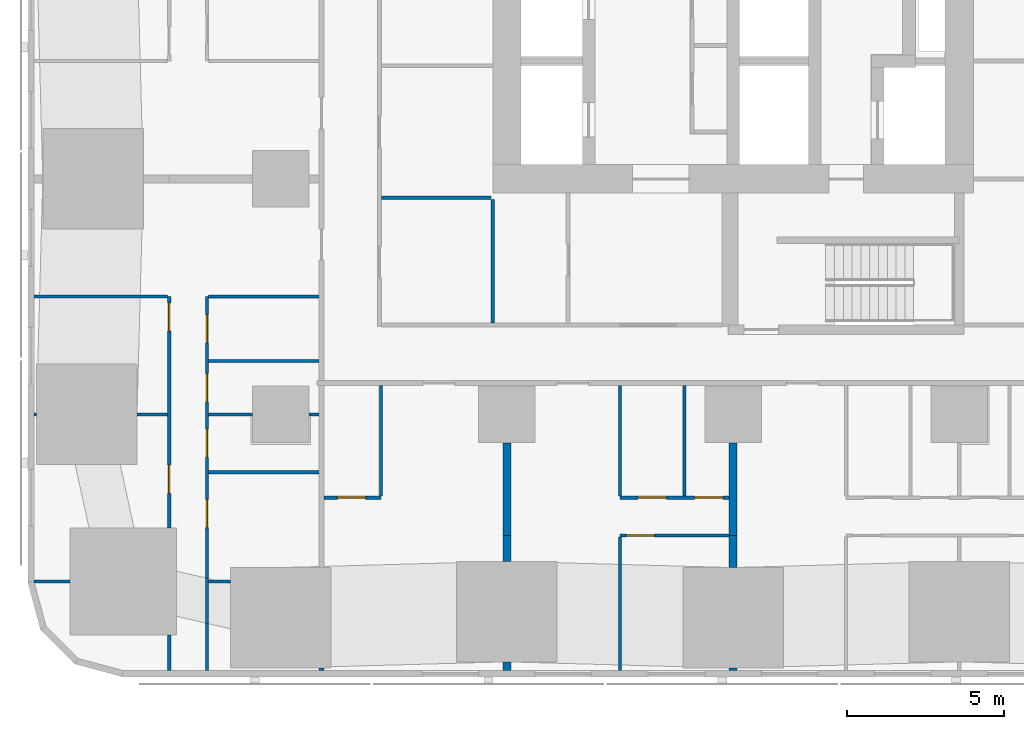
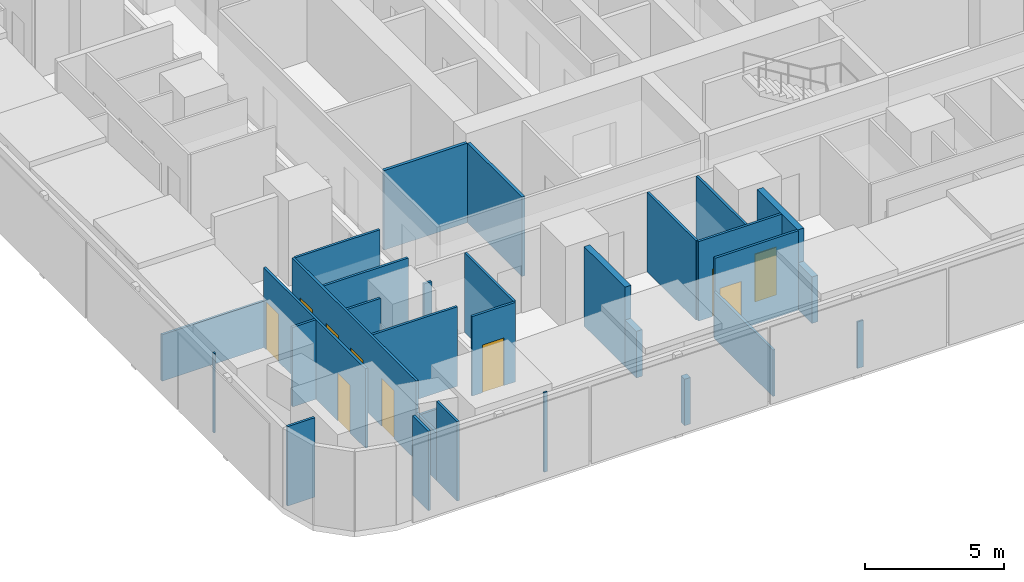
# One storey, part 2 of 17: 31 walls, 10 doors, 10 openings.
"""IFC4 building model written with IfcOpenShell, lengths in metres."""

from ifc_helpers import new_model, si_unit, direction, frame, frame_2d, origin, place, context, subcontext, project, spatial, rectangle, extrude, material, layer, layer_set, type_object, element, fill, save


model = new_model("IFC4")

# Units and contexts
model_context = context("Model", 3, precision=1e-05, world=origin(), true_north=direction((0.0, 1.0)))
body_context = subcontext(model_context, "Body", "Model", "MODEL_VIEW")
ifc_project = project(units=[si_unit("LENGTHUNIT", "METRE"), si_unit("AREAUNIT", "SQUARE_METRE"), si_unit("VOLUMEUNIT", "CUBIC_METRE"), si_unit("PLANEANGLEUNIT", "RADIAN"), si_unit("MASSUNIT", "GRAM", prefix="KILO")], contexts=[model_context])

# Site, building, storey
site_placement = place(None, origin())
site = spatial("IfcSite", under=ifc_project, at=site_placement, CompositionType="ELEMENT")
building_placement = place(site_placement, origin())
building = spatial("IfcBuilding", under=site, at=building_placement, Name="Sheger Commons Tower", CompositionType="ELEMENT")
storey_placement = place(building_placement, frame((0.0, 0.0, 27.5)))
storey = spatial("IfcBuildingStorey", under=building, at=storey_placement, Name="L06", CompositionType="ELEMENT", Elevation=27.5)

# Walls
ifc_material_1 = material(Name="Hollow concrete block masonry, skimmed both sides", Category="masonry")
ifc_layer_1 = layer(ifc_material_1, 0.14990234375)
ifc_layer_set_1 = layer_set([ifc_layer_1], Name="CORRIDOR WALL 150")
wall_type_1 = type_object("IfcWallType", Name="CORRIDOR WALL 150", PredefinedType="SOLIDWALL", material=ifc_layer_set_1)
wall_1_placement = place(storey_placement, frame((8.5, -0.64990234375, 0.0), z_axis=(0.0, 0.0, 1.0), x_axis=(0.0, 1.0, 0.0)))
element("IfcWall", 1, at=wall_1_placement, inside=storey, type_object=wall_type_1, Name="Corridor wall L06", PredefinedType="SOLIDWALL", context=body_context, shape_type="SweptSolid", body=[
    extrude(rectangle(XDim=0.073974609375, YDim=0.14990234375, at=frame_2d((0.037109375, 0.0))), origin(), (0.0, 0.0, 1.0), 3.5),
])
ifc_material_2 = material(Name="Dense concrete block masonry, plastered both sides (separating wall between flats)", Category="masonry")
ifc_layer_2 = layer(ifc_material_2, 0.25)
ifc_layer_set_2 = layer_set([ifc_layer_2], Name="DEMISING WALL 250")
wall_type_2 = type_object("IfcWallType", Name="DEMISING WALL 250", PredefinedType="SOLIDWALL", material=ifc_layer_set_2)
wall_2_placement = place(storey_placement, frame((14.39990234375, -0.64990234375, 0.0), z_axis=(0.0, 0.0, 1.0), x_axis=(0.0, 1.0, 0.0)))
element("IfcWall", 2, at=wall_2_placement, inside=storey, type_object=wall_type_2, Name="Demising wall L06", PredefinedType="SOLIDWALL", context=body_context, shape_type="SweptSolid", body=[
    extrude(rectangle(XDim=0.27392578125, YDim=0.25, at=frame_2d((0.136962890625, 0.0))), origin(), (0.0, 0.0, 1.0), 2.050048828125),
])
wall_3_placement = place(storey_placement, frame((14.39990234375, 2.825927734375, 0.0), z_axis=(0.0, 0.0, 1.0), x_axis=(0.0, 1.0, 0.0)))
element("IfcWall", 3, at=wall_3_placement, inside=storey, type_object=wall_type_2, Name="Demising wall L06", PredefinedType="SOLIDWALL", context=body_context, shape_type="SweptSolid", body=[
    extrude(rectangle(XDim=0.823974609375, YDim=0.25, at=frame_2d((0.412109375, 0.0))), origin(), (0.0, 0.0, 1.0), 2.050048828125),
])
wall_4_placement = place(storey_placement, frame((14.39990234375, 3.64990234375, 0.0), z_axis=(0.0, 0.0, 1.0), x_axis=(0.0, 1.0, 0.0)))
element("IfcWall", 4, at=wall_4_placement, inside=storey, type_object=wall_type_2, Name="Demising wall L06", PredefinedType="SOLIDWALL", context=body_context, shape_type="SweptSolid", body=[
    extrude(rectangle(XDim=2.94921875, YDim=0.25, at=frame_2d((1.474609375, 0.0))), origin(), (0.0, 0.0, 1.0), 3.5),
])
wall_5_placement = place(storey_placement, frame((21.60009765625, -0.64990234375, 0.0), z_axis=(0.0, 0.0, 1.0), x_axis=(0.0, 1.0, 0.0)))
element("IfcWall", 5, at=wall_5_placement, inside=storey, type_object=wall_type_2, Name="Demising wall L06", PredefinedType="SOLIDWALL", context=body_context, shape_type="SweptSolid", body=[
    extrude(rectangle(XDim=0.073974609375, YDim=0.25, at=frame_2d((0.037109375, 0.0))), origin(), (0.0, 0.0, 1.0), 2.050048828125),
])
wall_6_placement = place(storey_placement, frame((21.60009765625, 2.6259765625, 0.0), z_axis=(0.0, 0.0, 1.0), x_axis=(0.0, 1.0, 0.0)))
element("IfcWall", 6, at=wall_6_placement, inside=storey, type_object=wall_type_2, Name="Demising wall L06", PredefinedType="SOLIDWALL", context=body_context, shape_type="SweptSolid", body=[
    extrude(rectangle(XDim=1.02392578125, YDim=0.25, at=frame_2d((0.511962890625, 0.0))), origin(), (0.0, 0.0, 1.0), 2.050048828125),
])
wall_7_placement = place(storey_placement, frame((21.60009765625, 3.64990234375, 0.0), z_axis=(0.0, 0.0, 1.0), x_axis=(0.0, 1.0, 0.0)))
element("IfcWall", 7, at=wall_7_placement, inside=storey, type_object=wall_type_2, Name="Demising wall L06", PredefinedType="SOLIDWALL", context=body_context, shape_type="SweptSolid", body=[
    extrude(rectangle(XDim=2.94921875, YDim=0.25, at=frame_2d((1.474609375, 0.0))), origin(), (0.0, 0.0, 1.0), 3.5),
])
ifc_material_3 = material(Name="Gypsum board on steel studs", Category="steel")
ifc_layer_3 = layer(ifc_material_3, 0.10009765625)
ifc_layer_set_3 = layer_set([ifc_layer_3], Name="PARTITION 100")
wall_type_3 = type_object("IfcWallType", Name="PARTITION 100", PredefinedType="PARTITIONING", material=ifc_layer_set_3)
wall_8_placement = place(storey_placement, frame((3.64990234375, -0.64990234375, 0.0), z_axis=(0.0, 0.0, 1.0), x_axis=(0.0, 1.0, 0.0)))
element("IfcWall", 8, at=wall_8_placement, inside=storey, type_object=wall_type_3, Name="Partition L06", PredefinedType="PARTITIONING", context=body_context, shape_type="SweptSolid", body=[
    extrude(rectangle(XDim=1.135009765625, YDim=0.10009765625, at=frame_2d((0.5673828125, 0.0))), origin(), (0.0, 0.0, 1.0), 3.5),
])

# Wall, openings, doors
wall_9_placement = place(storey_placement, frame((3.64990234375, 3.886962890625, 0.0), z_axis=(0.0, 0.0, 1.0), x_axis=(0.0, 1.0, 0.0)))
wall_9 = element("IfcWall", 9, at=wall_9_placement, inside=storey, type_object=wall_type_3, Name="Partition L06", PredefinedType="PARTITIONING", context=body_context, shape_type="SweptSolid", body=[
    extrude(rectangle(XDim=7.363037109375, YDim=0.10009765625, at=frame_2d((3.681640625, 0.0))), origin(), (0.0, 0.0, 1.0), 3.5),
])
opening_1_placement = place(wall_9_placement, frame((6.262939453125, 0.0, 0.0)))
opening_1 = element("IfcOpeningElement", 10, at=opening_1_placement, cuts=wall_9, Name="Opening D2", PredefinedType="OPENING", context=body_context, shape_type="SweptSolid", body=[
    extrude(rectangle(XDim=0.89990234375, YDim=2.10009765625, at=frame_2d((0.449951171875, 1.050048828125))), frame((0.0, 0.06005859375, 0.0), z_axis=(0.0, -1.0, 0.0), x_axis=(1.0, 0.0, 0.0)), (0.0, 0.0, 1.0), 0.1201171875),
])
opening_2_placement = place(wall_9_placement, frame((1.10009765625, 0.0, 0.0)))
opening_2 = element("IfcOpeningElement", 11, at=opening_2_placement, cuts=wall_9, Name="Opening D2", PredefinedType="OPENING", context=body_context, shape_type="SweptSolid", body=[
    extrude(rectangle(XDim=0.89990234375, YDim=2.10009765625, at=frame_2d((0.449951171875, 1.050048828125))), frame((0.0, 0.06005859375, 0.0), z_axis=(0.0, -1.0, 0.0), x_axis=(1.0, 0.0, 0.0)), (0.0, 0.0, 1.0), 0.1201171875),
])
ifc_material_4 = material(Name="Timber door set", Category="wood")
door_type = type_object("IfcDoorType", Name="INTERNAL DOOR 900x2100", OperationType="NOTDEFINED", PredefinedType="DOOR", material=ifc_material_4)
door_1_placement = place(opening_1_placement, origin())
door_1 = element("IfcDoor", 12, at=door_1_placement, inside=storey, type_object=door_type, Name="Main bedroom door", OperationType="SINGLE_SWING_RIGHT", OverallHeight=2.10009765625, OverallWidth=0.89990234375, PredefinedType="DOOR", context=body_context, shape_type="SweptSolid", body=[
    extrude(rectangle(XDim=0.89990234375, YDim=2.10009765625, at=frame_2d((0.449951171875, 1.050048828125))), frame((0.0, 0.02490234375, 0.0), z_axis=(0.0, -1.0, 0.0), x_axis=(1.0, 0.0, 0.0)), (0.0, 0.0, 1.0), 0.050048828125),
])
fill(opening_1, door_1)
door_2_placement = place(opening_2_placement, origin())
door_2 = element("IfcDoor", 13, at=door_2_placement, inside=storey, type_object=door_type, Name="Bedroom 2 door", OperationType="SINGLE_SWING_LEFT", OverallHeight=2.10009765625, OverallWidth=0.89990234375, PredefinedType="DOOR", context=body_context, shape_type="SweptSolid", body=[
    extrude(rectangle(XDim=0.89990234375, YDim=2.10009765625, at=frame_2d((0.449951171875, 1.050048828125))), frame((0.0, 0.02490234375, 0.0), z_axis=(0.0, -1.0, 0.0), x_axis=(1.0, 0.0, 0.0)), (0.0, 0.0, 1.0), 0.050048828125),
])
fill(opening_2, door_2)

# Walls
wall_10_placement = place(storey_placement, frame((4.85009765625, -0.64990234375, 0.0), z_axis=(0.0, 0.0, 1.0), x_axis=(0.0, 1.0, 0.0)))
element("IfcWall", 14, at=wall_10_placement, inside=storey, type_object=wall_type_3, Name="Partition L06", PredefinedType="PARTITIONING", context=body_context, shape_type="SweptSolid", body=[
    extrude(rectangle(XDim=1.489013671875, YDim=0.10009765625, at=frame_2d((0.74462890625, 0.0))), origin(), (0.0, 0.0, 1.0), 3.5),
])
wall_11_placement = place(storey_placement, frame((4.85009765625, 0.839111328125, 0.0), z_axis=(0.0, 0.0, 1.0), x_axis=(0.0, 1.0, 0.0)))
element("IfcWall", 15, at=wall_11_placement, inside=storey, type_object=wall_type_3, Name="Partition L06", PredefinedType="PARTITIONING", context=body_context, shape_type="SweptSolid", body=[
    extrude(rectangle(XDim=1.4599609375, YDim=0.10009765625, at=frame_2d((0.72998046875, 0.0))), origin(), (0.0, 0.0, 1.0), 2.10009765625),
])

# Wall, openings, doors
wall_12_placement = place(storey_placement, frame((4.85009765625, 2.299072265625, 0.0), z_axis=(0.0, 0.0, 1.0), x_axis=(0.0, 1.0, 0.0)))
wall_12 = element("IfcWall", 16, at=wall_12_placement, inside=storey, type_object=wall_type_3, Name="Partition L06", PredefinedType="PARTITIONING", context=body_context, shape_type="SweptSolid", body=[
    extrude(rectangle(XDim=8.950927734375, YDim=0.10009765625, at=frame_2d((4.4755859375, 0.0))), origin(), (0.0, 0.0, 1.0), 3.5),
])
opening_3_placement = place(wall_12_placement, frame((7.47607421875, 0.0, 0.0)))
opening_3 = element("IfcOpeningElement", 17, at=opening_3_placement, cuts=wall_12, Name="Opening D2", PredefinedType="OPENING", context=body_context, shape_type="SweptSolid", body=[
    extrude(rectangle(XDim=0.89990234375, YDim=2.10009765625, at=frame_2d((0.449951171875, 1.050048828125))), frame((0.0, 0.06005859375, 0.0), z_axis=(0.0, -1.0, 0.0), x_axis=(1.0, 0.0, 0.0)), (0.0, 0.0, 1.0), 0.1201171875),
])
opening_4_placement = place(wall_12_placement, frame((3.8310546875, 0.0, 0.0)))
opening_4 = element("IfcOpeningElement", 18, at=opening_4_placement, cuts=wall_12, Name="Opening D2", PredefinedType="OPENING", context=body_context, shape_type="SweptSolid", body=[
    extrude(rectangle(XDim=0.89990234375, YDim=2.10009765625, at=frame_2d((0.449951171875, 1.050048828125))), frame((0.0, 0.06005859375, 0.0), z_axis=(0.0, -1.0, 0.0), x_axis=(1.0, 0.0, 0.0)), (0.0, 0.0, 1.0), 0.1201171875),
])
opening_5_placement = place(wall_12_placement, frame((5.60107421875, 0.0, 0.0)))
opening_5 = element("IfcOpeningElement", 19, at=opening_5_placement, cuts=wall_12, Name="Opening D2", PredefinedType="OPENING", context=body_context, shape_type="SweptSolid", body=[
    extrude(rectangle(XDim=0.89990234375, YDim=2.10009765625, at=frame_2d((0.449951171875, 1.050048828125))), frame((0.0, 0.06005859375, 0.0), z_axis=(0.0, -1.0, 0.0), x_axis=(1.0, 0.0, 0.0)), (0.0, 0.0, 1.0), 0.1201171875),
])
opening_6_placement = place(wall_12_placement, frame((1.60009765625, 0.0, 0.0)))
opening_6 = element("IfcOpeningElement", 20, at=opening_6_placement, cuts=wall_12, Name="Opening D2", PredefinedType="OPENING", context=body_context, shape_type="SweptSolid", body=[
    extrude(rectangle(XDim=0.89990234375, YDim=2.10009765625, at=frame_2d((0.449951171875, 1.050048828125))), frame((0.0, 0.06005859375, 0.0), z_axis=(0.0, -1.0, 0.0), x_axis=(1.0, 0.0, 0.0)), (0.0, 0.0, 1.0), 0.1201171875),
])
door_3_placement = place(opening_3_placement, origin())
door_3 = element("IfcDoor", 21, at=door_3_placement, inside=storey, type_object=door_type, Name="Bathroom door", OperationType="SINGLE_SWING_LEFT", OverallHeight=2.10009765625, OverallWidth=0.89990234375, PredefinedType="DOOR", context=body_context, shape_type="SweptSolid", body=[
    extrude(rectangle(XDim=0.89990234375, YDim=2.10009765625, at=frame_2d((0.449951171875, 1.050048828125))), frame((0.0, 0.02490234375, 0.0), z_axis=(0.0, -1.0, 0.0), x_axis=(1.0, 0.0, 0.0)), (0.0, 0.0, 1.0), 0.050048828125),
])
fill(opening_3, door_3)
door_4_placement = place(opening_4_placement, origin())
door_4 = element("IfcDoor", 22, at=door_4_placement, inside=storey, type_object=door_type, Name="Laundry room door", OperationType="SINGLE_SWING_LEFT", OverallHeight=2.10009765625, OverallWidth=0.89990234375, PredefinedType="DOOR", context=body_context, shape_type="SweptSolid", body=[
    extrude(rectangle(XDim=0.89990234375, YDim=2.10009765625, at=frame_2d((0.449951171875, 1.050048828125))), frame((0.0, 0.02490234375, 0.0), z_axis=(0.0, -1.0, 0.0), x_axis=(1.0, 0.0, 0.0)), (0.0, 0.0, 1.0), 0.050048828125),
])
fill(opening_4, door_4)
door_5_placement = place(opening_5_placement, origin())
door_5 = element("IfcDoor", 23, at=door_5_placement, inside=storey, type_object=door_type, Name="Store door", OperationType="SINGLE_SWING_LEFT", OverallHeight=2.10009765625, OverallWidth=0.89990234375, PredefinedType="DOOR", context=body_context, shape_type="SweptSolid", body=[
    extrude(rectangle(XDim=0.89990234375, YDim=2.10009765625, at=frame_2d((0.449951171875, 1.050048828125))), frame((0.0, 0.02490234375, 0.0), z_axis=(0.0, -1.0, 0.0), x_axis=(1.0, 0.0, 0.0)), (0.0, 0.0, 1.0), 0.050048828125),
])
fill(opening_5, door_5)
door_6_placement = place(opening_6_placement, origin())
door_6 = element("IfcDoor", 24, at=door_6_placement, inside=storey, type_object=door_type, Name="Store door", OperationType="SINGLE_SWING_LEFT", OverallHeight=2.10009765625, OverallWidth=0.89990234375, PredefinedType="DOOR", context=body_context, shape_type="SweptSolid", body=[
    extrude(rectangle(XDim=0.89990234375, YDim=2.10009765625, at=frame_2d((0.449951171875, 1.050048828125))), frame((0.0, 0.02490234375, 0.0), z_axis=(0.0, -1.0, 0.0), x_axis=(1.0, 0.0, 0.0)), (0.0, 0.0, 1.0), 0.050048828125),
])
fill(opening_6, door_6)

# Walls
wall_13_placement = place(storey_placement, frame((-0.64990234375, 2.18603515625, 0.0), z_axis=(0.0, 0.0, 1.0), x_axis=(1.0, 0.0, 0.0)))
element("IfcWall", 25, at=wall_13_placement, inside=storey, type_object=wall_type_3, Name="Partition L06", PredefinedType="PARTITIONING", context=body_context, shape_type="SweptSolid", body=[
    extrude(rectangle(XDim=1.135009765625, YDim=0.10009765625, at=frame_2d((0.5673828125, 0.0))), origin(), (0.0, 0.0, 1.0), 3.5),
])
wall_14_placement = place(storey_placement, frame((-0.64990234375, 7.5, 0.0), z_axis=(0.0, 0.0, 1.0), x_axis=(1.0, 0.0, 0.0)))
element("IfcWall", 26, at=wall_14_placement, inside=storey, type_object=wall_type_3, Name="Partition L06", PredefinedType="PARTITIONING", context=body_context, shape_type="SweptSolid", body=[
    extrude(rectangle(XDim=0.073974609375, YDim=0.10009765625, at=frame_2d((0.037109375, 0.0))), origin(), (0.0, 0.0, 1.0), 3.5),
])
wall_15_placement = place(storey_placement, frame((2.6259765625, 7.5, 0.0), z_axis=(0.0, 0.0, 1.0), x_axis=(1.0, 0.0, 0.0)))
element("IfcWall", 27, at=wall_15_placement, inside=storey, type_object=wall_type_3, Name="Partition L06", PredefinedType="PARTITIONING", context=body_context, shape_type="SweptSolid", body=[
    extrude(rectangle(XDim=0.97412109375, YDim=0.10009765625, at=frame_2d((0.487060546875, 0.0))), origin(), (0.0, 0.0, 1.0), 3.5),
])
wall_16_placement = place(storey_placement, frame((-0.64990234375, 11.25, 0.0), z_axis=(0.0, 0.0, 1.0), x_axis=(1.0, 0.0, 0.0)))
element("IfcWall", 28, at=wall_16_placement, inside=storey, type_object=wall_type_3, Name="Partition L06", PredefinedType="PARTITIONING", context=body_context, shape_type="SweptSolid", body=[
    extrude(rectangle(XDim=4.25, YDim=0.10009765625, at=frame_2d((2.125, 0.0))), origin(), (0.0, 0.0, 1.0), 2.050048828125),
])
wall_17_placement = place(storey_placement, frame((4.89990234375, 2.18603515625, 0.0), z_axis=(0.0, 0.0, 1.0), x_axis=(1.0, 0.0, 0.0)))
element("IfcWall", 29, at=wall_17_placement, inside=storey, type_object=wall_type_3, Name="Partition L06", PredefinedType="PARTITIONING", context=body_context, shape_type="SweptSolid", body=[
    extrude(rectangle(XDim=0.69921875, YDim=0.10009765625, at=frame_2d((0.349609375, 0.0))), origin(), (0.0, 0.0, 1.0), 2.10009765625),
])
wall_18_placement = place(storey_placement, frame((4.89990234375, 7.5, 0.0), z_axis=(0.0, 0.0, 1.0), x_axis=(1.0, 0.0, 0.0)))
element("IfcWall", 30, at=wall_18_placement, inside=storey, type_object=wall_type_3, Name="Partition L06", PredefinedType="PARTITIONING", context=body_context, shape_type="SweptSolid", body=[
    extrude(rectangle(XDim=1.399169921875, YDim=0.10009765625, at=frame_2d((0.69970703125, 0.0))), origin(), (0.0, 0.0, 1.0), 3.5),
])
wall_19_placement = place(storey_placement, frame((8.10107421875, 7.5, 0.0), z_axis=(0.0, 0.0, 1.0), x_axis=(1.0, 0.0, 0.0)))
element("IfcWall", 31, at=wall_19_placement, inside=storey, type_object=wall_type_3, Name="Partition L06", PredefinedType="PARTITIONING", context=body_context, shape_type="SweptSolid", body=[
    extrude(rectangle(XDim=0.323974609375, YDim=0.10009765625, at=frame_2d((0.162109375, 0.0))), origin(), (0.0, 0.0, 1.0), 3.5),
])
for number, where, z_axis, x_axis, name in (
    (32, (4.89990234375, 11.25, 0.0), (0.0, 0.0, 1.0), (1.0, 0.0, 0.0), "Partition L06"),
    (33, (4.89990234375, 9.199951171875, 0.0), (0.0, 0.0, 1.0), (1.0, 0.0, 0.0), "Partition L06"),
    (34, (4.89990234375, 5.659912109375, 0.0), (0.0, 0.0, 1.0), (1.0, 0.0, 0.0), "Partition L06"),
):
    element("IfcWall", number, at=place(storey_placement, frame(where, z_axis=z_axis, x_axis=x_axis)), inside=storey, type_object=wall_type_3, Name=name, PredefinedType="PARTITIONING", context=body_context, shape_type="SweptSolid", body=[
        extrude(rectangle(XDim=3.525146484375, YDim=0.10009765625, at=frame_2d((1.7626953125, 0.0))), origin(), (0.0, 0.0, 1.0), 3.5),
    ])

# Wall, opening, door
wall_20_placement = place(storey_placement, frame((10.389892578125, 4.85009765625, 0.0), z_axis=(0.0, 0.0, 1.0), x_axis=(-1.0, 0.0, 0.0)))
wall_20 = element("IfcWall", 35, at=wall_20_placement, inside=storey, type_object=wall_type_3, Name="Partition L06", PredefinedType="PARTITIONING", context=body_context, shape_type="SweptSolid", body=[
    extrude(rectangle(XDim=1.81494140625, YDim=0.10009765625, at=frame_2d((0.907470703125, 0.0))), origin(), (0.0, 0.0, 1.0), 3.5),
])
opening_7_placement = place(wall_20_placement, frame((0.489990234375, 0.0, 0.0)))
opening_7 = element("IfcOpeningElement", 36, at=opening_7_placement, cuts=wall_20, Name="Opening D2", PredefinedType="OPENING", context=body_context, shape_type="SweptSolid", body=[
    extrude(rectangle(XDim=0.89990234375, YDim=2.10009765625, at=frame_2d((0.449951171875, 1.050048828125))), frame((0.0, 0.06005859375, 0.0), z_axis=(0.0, -1.0, 0.0), x_axis=(1.0, 0.0, 0.0)), (0.0, 0.0, 1.0), 0.1201171875),
])
door_7_placement = place(opening_7_placement, origin())
door_7 = element("IfcDoor", 37, at=door_7_placement, inside=storey, type_object=door_type, Name="Shower room door", OperationType="SINGLE_SWING_LEFT", OverallHeight=2.10009765625, OverallWidth=0.89990234375, PredefinedType="DOOR", context=body_context, shape_type="SweptSolid", body=[
    extrude(rectangle(XDim=0.89990234375, YDim=2.10009765625, at=frame_2d((0.449951171875, 1.050048828125))), frame((0.0, 0.02490234375, 0.0), z_axis=(0.0, -1.0, 0.0), x_axis=(1.0, 0.0, 0.0)), (0.0, 0.0, 1.0), 0.050048828125),
])
fill(opening_7, door_7)

# Wall
wall_21_placement = place(storey_placement, frame((10.389892578125, 4.89990234375, 0.0), z_axis=(0.0, 0.0, 1.0), x_axis=(0.0, 1.0, 0.0)))
element("IfcWall", 38, at=wall_21_placement, inside=storey, type_object=wall_type_3, Name="Partition L06", PredefinedType="PARTITIONING", context=body_context, shape_type="SweptSolid", body=[
    extrude(rectangle(XDim=3.525146484375, YDim=0.10009765625, at=frame_2d((1.7626953125, 0.0))), origin(), (0.0, 0.0, 1.0), 3.5),
])

# Wall, opening, door
wall_22_placement = place(storey_placement, frame((21.47509765625, 3.64990234375, 0.0), z_axis=(0.0, 0.0, 1.0), x_axis=(-1.0, 0.0, 0.0)))
wall_22 = element("IfcWall", 39, at=wall_22_placement, inside=storey, type_object=wall_type_3, Name="Partition L06", PredefinedType="PARTITIONING", context=body_context, shape_type="SweptSolid", body=[
    extrude(rectangle(XDim=3.47509765625, YDim=0.10009765625, at=frame_2d((1.737548828125, 0.0))), origin(), (0.0, 0.0, 1.0), 3.5),
])
opening_8_placement = place(wall_22_placement, frame((2.375, 0.0, 0.0)))
opening_8 = element("IfcOpeningElement", 40, at=opening_8_placement, cuts=wall_22, Name="Opening D2", PredefinedType="OPENING", context=body_context, shape_type="SweptSolid", body=[
    extrude(rectangle(XDim=0.89990234375, YDim=2.10009765625, at=frame_2d((0.449951171875, 1.050048828125))), frame((0.0, 0.06005859375, 0.0), z_axis=(0.0, -1.0, 0.0), x_axis=(1.0, 0.0, 0.0)), (0.0, 0.0, 1.0), 0.1201171875),
])
door_8_placement = place(opening_8_placement, origin())
door_8 = element("IfcDoor", 41, at=door_8_placement, inside=storey, type_object=door_type, Name="Main bedroom door", OperationType="SINGLE_SWING_RIGHT", OverallHeight=2.10009765625, OverallWidth=0.89990234375, PredefinedType="DOOR", context=body_context, shape_type="SweptSolid", body=[
    extrude(rectangle(XDim=0.89990234375, YDim=2.10009765625, at=frame_2d((0.449951171875, 1.050048828125))), frame((0.0, 0.02490234375, 0.0), z_axis=(0.0, -1.0, 0.0), x_axis=(1.0, 0.0, 0.0)), (0.0, 0.0, 1.0), 0.050048828125),
])
fill(opening_8, door_8)

# Wall, openings, doors
wall_23_placement = place(storey_placement, frame((21.47509765625, 4.85009765625, 0.0), z_axis=(0.0, 0.0, 1.0), x_axis=(-1.0, 0.0, 0.0)))
wall_23 = element("IfcWall", 42, at=wall_23_placement, inside=storey, type_object=wall_type_3, Name="Partition L06", PredefinedType="PARTITIONING", context=body_context, shape_type="SweptSolid", body=[
    extrude(rectangle(XDim=3.47509765625, YDim=0.10009765625, at=frame_2d((1.737548828125, 0.0))), origin(), (0.0, 0.0, 1.0), 3.5),
])
opening_9_placement = place(wall_23_placement, frame((2.0, 0.0, 0.0)))
opening_9 = element("IfcOpeningElement", 43, at=opening_9_placement, cuts=wall_23, Name="Opening D2", PredefinedType="OPENING", context=body_context, shape_type="SweptSolid", body=[
    extrude(rectangle(XDim=0.89990234375, YDim=2.10009765625, at=frame_2d((0.449951171875, 1.050048828125))), frame((0.0, 0.06005859375, 0.0), z_axis=(0.0, -1.0, 0.0), x_axis=(1.0, 0.0, 0.0)), (0.0, 0.0, 1.0), 0.1201171875),
])
opening_10_placement = place(wall_23_placement, frame((0.199951171875, 0.0, 0.0)))
opening_10 = element("IfcOpeningElement", 44, at=opening_10_placement, cuts=wall_23, Name="Opening D2", PredefinedType="OPENING", context=body_context, shape_type="SweptSolid", body=[
    extrude(rectangle(XDim=0.89990234375, YDim=2.10009765625, at=frame_2d((0.449951171875, 1.050048828125))), frame((0.0, 0.06005859375, 0.0), z_axis=(0.0, -1.0, 0.0), x_axis=(1.0, 0.0, 0.0)), (0.0, 0.0, 1.0), 0.1201171875),
])
door_9_placement = place(opening_9_placement, origin())
door_9 = element("IfcDoor", 45, at=door_9_placement, inside=storey, type_object=door_type, Name="Bathroom door", OperationType="SINGLE_SWING_LEFT", OverallHeight=2.10009765625, OverallWidth=0.89990234375, PredefinedType="DOOR", context=body_context, shape_type="SweptSolid", body=[
    extrude(rectangle(XDim=0.89990234375, YDim=2.10009765625, at=frame_2d((0.449951171875, 1.050048828125))), frame((0.0, 0.02490234375, 0.0), z_axis=(0.0, -1.0, 0.0), x_axis=(1.0, 0.0, 0.0)), (0.0, 0.0, 1.0), 0.050048828125),
])
fill(opening_9, door_9)
door_10_placement = place(opening_10_placement, origin())
door_10 = element("IfcDoor", 46, at=door_10_placement, inside=storey, type_object=door_type, Name="Store door", OperationType="SINGLE_SWING_RIGHT", OverallHeight=2.10009765625, OverallWidth=0.89990234375, PredefinedType="DOOR", context=body_context, shape_type="SweptSolid", body=[
    extrude(rectangle(XDim=0.89990234375, YDim=2.10009765625, at=frame_2d((0.449951171875, 1.050048828125))), frame((0.0, 0.02490234375, 0.0), z_axis=(0.0, -1.0, 0.0), x_axis=(1.0, 0.0, 0.0)), (0.0, 0.0, 1.0), 0.050048828125),
])
fill(opening_10, door_10)

# Walls
wall_24_placement = place(storey_placement, frame((18.0, -0.64990234375, 0.0), z_axis=(0.0, 0.0, 1.0), x_axis=(0.0, 1.0, 0.0)))
element("IfcWall", 47, at=wall_24_placement, inside=storey, type_object=wall_type_3, Name="Partition L06", PredefinedType="PARTITIONING", context=body_context, shape_type="SweptSolid", body=[
    extrude(rectangle(XDim=4.25, YDim=0.10009765625, at=frame_2d((2.125, 0.0))), origin(), (0.0, 0.0, 1.0), 2.050048828125),
])
for number, where, z_axis, x_axis, name in (
    (48, (18.0, 4.89990234375, 0.0), (0.0, 0.0, 1.0), (0.0, 1.0, 0.0), "Partition L06"),
    (49, (20.050048828125, 4.89990234375, 0.0), (0.0, 0.0, 1.0), (0.0, 1.0, 0.0), "Partition L06"),
):
    element("IfcWall", number, at=place(storey_placement, frame(where, z_axis=z_axis, x_axis=x_axis)), inside=storey, type_object=wall_type_3, Name=name, PredefinedType="PARTITIONING", context=body_context, shape_type="SweptSolid", body=[
        extrude(rectangle(XDim=3.525146484375, YDim=0.10009765625, at=frame_2d((1.7626953125, 0.0))), origin(), (0.0, 0.0, 1.0), 3.5),
    ])
ifc_material_5 = material(Name="Gypsum board on steel studs, two layers each side, fire rated", Category="steel")
ifc_layer_4 = layer(ifc_material_5, 0.125)
ifc_layer_set_4 = layer_set([ifc_layer_4], Name="SERVICE WALL 125")
wall_type_4 = type_object("IfcWallType", Name="SERVICE WALL 125", PredefinedType="PARTITIONING", material=ifc_layer_set_4)
wall_25_placement = place(storey_placement, frame((10.4130859375, 14.39990234375, 0.0), z_axis=(0.0, 0.0, 1.0), x_axis=(1.0, 0.0, 0.0)))
element("IfcWall", 50, at=wall_25_placement, inside=storey, type_object=wall_type_4, Name="Service room wall L06", PredefinedType="PARTITIONING", context=body_context, shape_type="SweptSolid", body=[
    extrude(rectangle(XDim=3.474853515625, YDim=0.125, at=frame_2d((1.7373046875, 0.0))), origin(), (0.0, 0.0, 1.0), 3.5),
])
wall_26_placement = place(storey_placement, frame((13.949951171875, 10.4130859375, 0.0), z_axis=(0.0, 0.0, 1.0), x_axis=(0.0, 1.0, 0.0)))
element("IfcWall", 51, at=wall_26_placement, inside=storey, type_object=wall_type_4, Name="Service room wall L06", PredefinedType="PARTITIONING", context=body_context, shape_type="SweptSolid", body=[
    extrude(rectangle(XDim=3.9248046875, YDim=0.125, at=frame_2d((1.96240234375, 0.0))), origin(), (0.0, 0.0, 1.0), 3.5),
])

save(model, "model.ifc")
